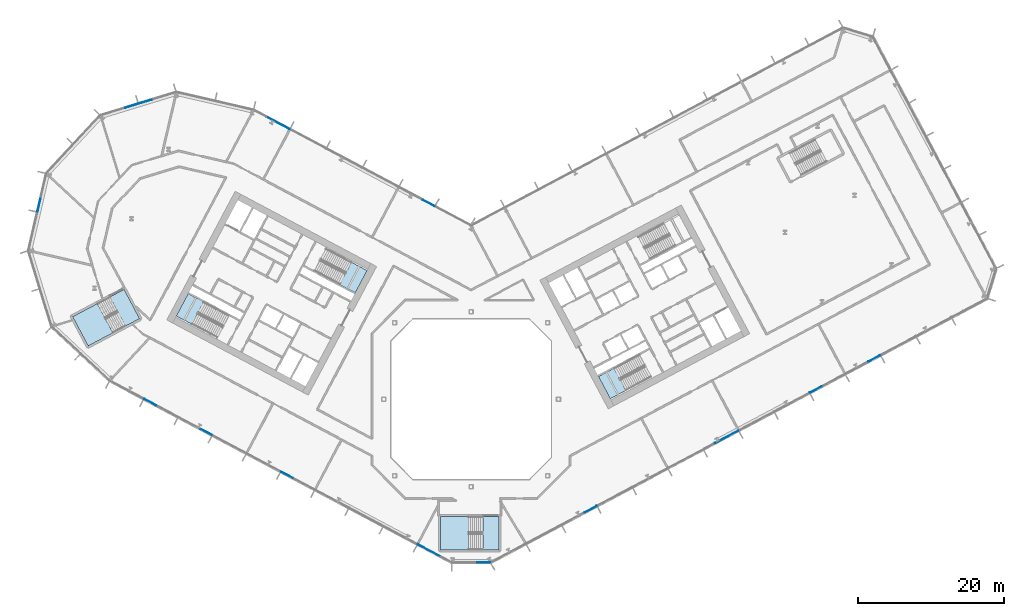
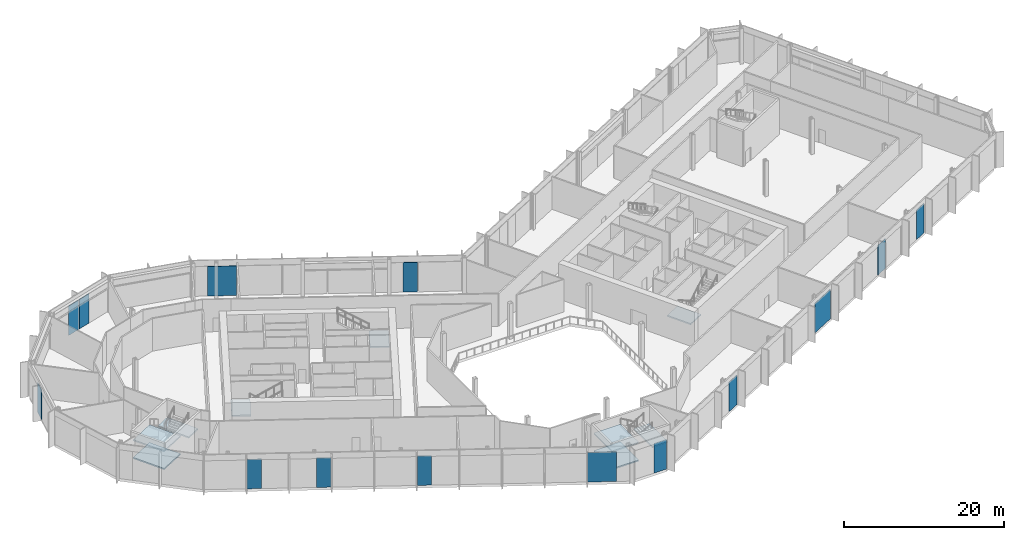
# One storey, part 9 of 32: 14 plates, 9 slabs, 11 elements without a shape of their own.
"""IFC4 building model written with IfcOpenShell, lengths in metres."""

import ifcopenshell
import ifcopenshell.guid

model = None  # the IFC model being written
_history = None  # IfcOwnerHistory: only IFC2X3 demands one
_inside = {}  # id of a spatial element -> (the spatial element, [elements in it])
_under = {}  # id of a project, library or spatial element -> (it, [spatial elements below it])
_declared = {}  # id of a project -> (the project, [libraries it declares])
_typed = {}  # id of a type object -> (the type object, [elements of that type])
_made_of = {}  # id of a material, layer set ... -> (it, [elements and type objects made of it])


def new_model(schema):
    """Start an empty IFC model of exactly this schema.

    Asked for "IFC4X3", IfcOpenShell would pick the latest addendum, in which some entities
    have other attributes; the version numbers below select the first issue.
    IFC2X3 requires an IfcOwnerHistory on every rooted entity: one is made here for all.
    """
    global model, _history
    if schema == "IFC4X3":
        model = ifcopenshell.file(schema_version=(4, 3, 0, 0))
    else:
        model = ifcopenshell.file(schema=schema)
    _inside.clear()
    _under.clear()
    _declared.clear()
    _typed.clear()
    _made_of.clear()
    _history = None
    if model.schema == "IFC2X3":
        org = make("IfcOrganization", Name="unknown")
        user = make(
            "IfcPersonAndOrganization",
            ThePerson=make("IfcPerson", FamilyName="unknown"),
            TheOrganization=org,
        )
        app = make(
            "IfcApplication",
            ApplicationDeveloper=org,
            Version="unknown",
            ApplicationFullName="unknown",
            ApplicationIdentifier="unknown",
        )
        _history = make(
            "IfcOwnerHistory",
            OwningUser=user,
            OwningApplication=app,
            ChangeAction="ADDED",
            CreationDate=0,
        )
    return model


def make(cls, **values):
    """One entity of the class cls with the attributes given. An attribute that is None is left unset."""
    return model.create_entity(
        cls, **{name: value for name, value in values.items() if value is not None}
    )


def rooted(cls, **values):
    """An entity with a GlobalId (a new one), such as an element, a storey or a relation."""
    return make(cls, GlobalId=ifcopenshell.guid.new(), OwnerHistory=_history, **values)


def si_unit(unit_type, name, prefix=None):
    """IfcSIUnit, for example si_unit("LENGTHUNIT", "METRE", prefix="MILLI")."""
    return make("IfcSIUnit", UnitType=unit_type, Prefix=prefix, Name=name)


def assignment(units):
    """IfcUnitAssignment: the units of a project."""
    return None if units is None else make("IfcUnitAssignment", Units=units)


def point(xyz):
    """IfcCartesianPoint."""
    return None if xyz is None else make("IfcCartesianPoint", Coordinates=xyz)


def direction(xyz):
    """IfcDirection."""
    return None if xyz is None else make("IfcDirection", DirectionRatios=xyz)


def frame(location, z_axis=None, x_axis=None):
    """IfcAxis2Placement3D, a coordinate frame: its origin and axes. An axis left out is left unset."""
    return make(
        "IfcAxis2Placement3D",
        Location=point(location),
        Axis=direction(z_axis),
        RefDirection=direction(x_axis),
    )


def frame_2d(location, x_axis=None):
    """IfcAxis2Placement2D, a coordinate frame in the plane: its origin and x axis."""
    return make(
        "IfcAxis2Placement2D", Location=point(location), RefDirection=direction(x_axis)
    )


def origin():
    """The frame at (0, 0, 0) with its axes left unset."""
    return frame((0.0, 0.0, 0.0))


def origin_2d():
    """The frame at (0, 0) in the plane with its x axis left unset."""
    return frame_2d((0.0, 0.0))


def place(relative_to, where):
    """IfcLocalPlacement: puts the frame where relative to a parent placement (None: the world)."""
    return make(
        "IfcLocalPlacement", PlacementRelTo=relative_to, RelativePlacement=where
    )


def context(
    kind, dimensions, precision=None, world=None, true_north=None, identifier=None
):
    """IfcGeometricRepresentationContext, for example the 3D "Model" context."""
    return make(
        "IfcGeometricRepresentationContext",
        ContextIdentifier=identifier,
        ContextType=kind,
        CoordinateSpaceDimension=dimensions,
        Precision=precision,
        WorldCoordinateSystem=world,
        TrueNorth=true_north,
    )


def subcontext(parent, identifier, kind, view, scale=None):
    """IfcGeometricRepresentationSubContext, for example "Body" below "Model"."""
    return make(
        "IfcGeometricRepresentationSubContext",
        ContextIdentifier=identifier,
        ContextType=kind,
        ParentContext=parent,
        TargetScale=scale,
        TargetView=view,
    )


def project(units=None, contexts=None):
    """IfcProject with its units and contexts."""
    return rooted(
        "IfcProject",
        Name="project",
        RepresentationContexts=contexts,
        UnitsInContext=assignment(units),
    )


def spatial(cls, under=None, at=None, **own):
    """A site, building, storey or space (cls), placed at a placement, below another one or the project."""
    s = rooted(cls, ObjectPlacement=at, **own)
    if under is not None:
        _under.setdefault(under.id(), (under, []))[1].append(s)
    return s


def polyline(points):
    """IfcPolyline through the points."""
    return make("IfcPolyline", Points=[point(p) for p in points])


def profile(cls, at=None, kind="AREA", **sizes):
    """A parametric profile (cls). Its sizes go by their IFC names, for example OverallWidth=200.0."""
    return make(cls, ProfileType=kind, Position=at, **sizes)


def rectangle(**sizes):
    """IfcRectangleProfileDef."""
    return profile("IfcRectangleProfileDef", **sizes)


def outline(outer, holes=None, kind="AREA"):
    """IfcArbitraryClosedProfileDef: a profile drawn as a closed curve; with holes, ...WithVoids."""
    if holes is None:
        return make("IfcArbitraryClosedProfileDef", ProfileType=kind, OuterCurve=outer)
    return make(
        "IfcArbitraryProfileDefWithVoids",
        ProfileType=kind,
        OuterCurve=outer,
        InnerCurves=holes,
    )


def extrude(swept, where, along, depth):
    """IfcExtrudedAreaSolid: the profile swept, set in the frame where, extruded along a direction by depth."""
    return make(
        "IfcExtrudedAreaSolid",
        SweptArea=swept,
        Position=where,
        ExtrudedDirection=direction(along),
        Depth=depth,
    )


def shape(context_of_items, identifier, shape_type, items):
    """IfcShapeRepresentation: the items that make up one representation, for example the "Body"."""
    return make(
        "IfcShapeRepresentation",
        ContextOfItems=context_of_items,
        RepresentationIdentifier=identifier,
        RepresentationType=shape_type,
        Items=items,
    )


def material(Name=None, Category=None):
    """IfcMaterial."""
    return make("IfcMaterial", Name=Name, Category=Category)


def layer(
    of_material, thickness, ventilated=None, Name=None, Category=None, Priority=None
):
    """IfcMaterialLayer: one layer of a wall or slab, of a material (None: an air gap)."""
    return make(
        "IfcMaterialLayer",
        Material=of_material,
        LayerThickness=thickness,
        IsVentilated=ventilated,
        Name=Name,
        Category=Category,
        Priority=Priority,
    )


def layer_set(layers, Name=None):
    """IfcMaterialLayerSet."""
    return make("IfcMaterialLayerSet", MaterialLayers=layers, LayerSetName=Name)


def made_of(thing, what):
    """Note that an element or type object is made of a material, layer set ...; save() writes the relation."""
    if what is not None:
        _made_of.setdefault(what.id(), (what, []))[1].append(thing)
    return thing


def type_object(cls, material=None, **own):
    """A type object (cls), such as IfcWallType, which elements share."""
    return made_of(rooted(cls, **own), material)


def element(
    cls,
    number,
    at=None,
    inside=None,
    cuts=None,
    type_object=None,
    material=None,
    context=None,
    identifier="Body",
    shape_type=None,
    held_by="IfcProductDefinitionShape",
    body=None,
    shapes=None,
    **own,
):
    """One element of the class cls, such as IfcWall. Its Tag is "e" and its number.

    at: its placement. inside: the storey or other place that contains it. cuts: it is an
    opening in that element (IfcRelVoidsElement). A single representation is given by context,
    identifier, shape_type and body (its items); several are given by shapes. held_by: the class
    of the entity that holds the representations. save() writes the other relations.
    """
    e = rooted(cls, Tag="e%d" % number, ObjectPlacement=at, **own)
    if body is not None:
        shapes = [shape(context, identifier, shape_type, body)]
    if shapes is not None:
        e.Representation = make(held_by, Representations=shapes)
    if inside is not None:
        _inside.setdefault(inside.id(), (inside, []))[1].append(e)
    if cuts is not None:
        rooted(
            "IfcRelVoidsElement", RelatingBuildingElement=cuts, RelatedOpeningElement=e
        )
    if type_object is not None:
        _typed.setdefault(type_object.id(), (type_object, []))[1].append(e)
    return made_of(e, material)


def aggregate(whole, parts):
    """IfcRelAggregates: a whole, such as a stair, and the parts it consists of."""
    return rooted("IfcRelAggregates", RelatingObject=whole, RelatedObjects=parts)


def save(model, path):
    """Write the relations noted so far, then the file.

    IfcRelAggregates (storeys below a building ...), IfcRelContainedInSpatialStructure (elements
    in a storey), IfcRelDefinesByType, IfcRelAssociatesMaterial and IfcRelDeclares: one each for
    every whole, place, type object, material and project.
    """
    for whole, parts in _under.values():
        aggregate(whole, parts)
    for where, things in _inside.values():
        rooted(
            "IfcRelContainedInSpatialStructure",
            RelatedElements=things,
            RelatingStructure=where,
        )
    for kind, things in _typed.values():
        rooted("IfcRelDefinesByType", RelatedObjects=things, RelatingType=kind)
    for what, things in _made_of.values():
        rooted("IfcRelAssociatesMaterial", RelatedObjects=things, RelatingMaterial=what)
    for by, libraries in _declared.values():
        rooted("IfcRelDeclares", RelatingContext=by, RelatedDefinitions=libraries)
    model.write(path)


model = new_model("IFC4")

# Units and contexts
model_context = context("Model", 3, precision=1e-05, world=origin(), true_north=direction((0.0, 1.0)))
body_context = subcontext(model_context, "Body", "Model", "MODEL_VIEW")
ifc_project = project(units=[si_unit("LENGTHUNIT", "METRE"), si_unit("AREAUNIT", "SQUARE_METRE"), si_unit("VOLUMEUNIT", "CUBIC_METRE"), si_unit("PLANEANGLEUNIT", "RADIAN"), si_unit("MASSUNIT", "GRAM", prefix="KILO")], contexts=[model_context])

# Site, building, storey
site_placement = place(None, origin())
site = spatial("IfcSite", under=ifc_project, at=site_placement, CompositionType="ELEMENT")
building_placement = place(site_placement, origin())
building = spatial("IfcBuilding", under=site, at=building_placement, Name="Cormorant Relay Tower", CompositionType="ELEMENT")
storey_placement = place(building_placement, frame((0.0, 0.0, 17.60009765625)))
storey = spatial("IfcBuildingStorey", under=building, at=storey_placement, Name="L03", CompositionType="ELEMENT", Elevation=17.60009765625)

# Curtain wall, plate
ifc_material_1 = material(Name="Aluminium 6063-T6 anodised bronze", Category="aluminium")
ifc_layer_1 = layer(ifc_material_1, 0.235107421875)
ifc_layer_set_1 = layer_set([ifc_layer_1], Name="CW6 data hall curtain wall with mineral wool panels")
curtain_wall_type = type_object("IfcCurtainWallType", Name="CW6 data hall curtain wall with mineral wool panels", PredefinedType="NOTDEFINED", material=ifc_layer_set_1)
curtain_wall_1_placement = place(storey_placement, origin())
curtain_wall_1 = element("IfcCurtainWall", 1, at=curtain_wall_1_placement, inside=storey, type_object=curtain_wall_type, Name="CW6 curtain wall 1", PredefinedType="NOTDEFINED")
ifc_material_2 = material(Name="Tinted triple-glazed laminated unit")
ifc_layer_2 = layer(ifc_material_2, 0.074951171875)
ifc_layer_set_2 = layer_set([ifc_layer_2], Name="CW6 triple-glazed vision unit 1800 module")
plate_type_1 = type_object("IfcPlateType", Name="CW6 triple-glazed vision unit 1800 module", PredefinedType="CURTAIN_PANEL", material=ifc_layer_set_2)
plate_1_placement = place(storey_placement, frame((1.748779296875, -22.4130859375, 0.0), z_axis=(0.0, 0.0, 1.0), x_axis=(1.0, 0.0, 0.0)))
plate_1 = element("IfcPlate", 2, at=plate_1_placement, type_object=plate_type_1, Name="CW6 panel V01", PredefinedType="CURTAIN_PANEL", context=body_context, shape_type="SweptSolid", body=[
    extrude(rectangle(XDim=1.800048828125, YDim=0.074951171875, at=origin_2d()), origin(), (0.0, 0.0, 1.0), 4.5),
])
aggregate(curtain_wall_1, [plate_1])

# Curtain wall, plates
curtain_wall_2_placement = place(storey_placement, origin())
curtain_wall_2 = element("IfcCurtainWall", 3, at=curtain_wall_2_placement, inside=storey, type_object=curtain_wall_type, Name="CW6 curtain wall 2", PredefinedType="NOTDEFINED")
plate_2_placement = place(storey_placement, frame((16.405517578125, -15.103515625, 0.0), z_axis=(0.0, 0.0, 1.0), x_axis=(0.882947592859, 0.469471562786, 0.0)))
plate_2 = element("IfcPlate", 4, at=plate_2_placement, type_object=plate_type_1, Name="CW6 panel V02", PredefinedType="CURTAIN_PANEL", context=body_context, shape_type="SweptSolid", body=[
    extrude(rectangle(XDim=1.800048828125, YDim=0.074951171875, at=origin_2d()), origin(), (0.0, 0.0, 1.0), 4.5),
])
plate_3_placement = place(storey_placement, frame((47.327392578125, 1.337890625, 0.0), z_axis=(0.0, 0.0, 1.0), x_axis=(0.882947592859, 0.469471562786, 0.0)))
plate_3 = element("IfcPlate", 5, at=plate_3_placement, type_object=plate_type_1, Name="CW6 panel V09", PredefinedType="CURTAIN_PANEL", context=body_context, shape_type="SweptSolid", body=[
    extrude(rectangle(XDim=1.800048828125, YDim=0.074951171875, at=origin_2d()), origin(), (0.0, 0.0, 1.0), 4.5),
])
plate_4_placement = place(storey_placement, frame((55.339111328125, 5.597900390625, 0.0), z_axis=(0.0, 0.0, 1.0), x_axis=(0.882947592859, 0.469471562786, 0.0)))
plate_4 = element("IfcPlate", 6, at=plate_4_placement, type_object=plate_type_1, Name="CW6 panel V11", PredefinedType="CURTAIN_PANEL", context=body_context, shape_type="SweptSolid", body=[
    extrude(rectangle(XDim=1.800048828125, YDim=0.074951171875, at=origin_2d()), origin(), (0.0, 0.0, 1.0), 4.5),
])

# Curtain wall, plate
curtain_wall_3_placement = place(storey_placement, origin())
curtain_wall_3 = element("IfcCurtainWall", 7, at=curtain_wall_3_placement, inside=storey, type_object=curtain_wall_type, Name="CW6 curtain wall 7", PredefinedType="NOTDEFINED")
plate_5_placement = place(storey_placement, frame((-5.822265625, 26.922119140625, 0.0), z_axis=(0.0, 0.0, 1.0), x_axis=(-0.882947592859, 0.469471562786, 0.0)))
plate_5 = element("IfcPlate", 8, at=plate_5_placement, type_object=plate_type_1, Name="CW6 panel V01", PredefinedType="CURTAIN_PANEL", context=body_context, shape_type="SweptSolid", body=[
    extrude(rectangle(XDim=1.800048828125, YDim=0.074951171875, at=origin_2d()), origin(), (0.0, 0.0, 1.0), 4.5),
])

# Curtain wall, plates
curtain_wall_4_placement = place(storey_placement, origin())
curtain_wall_4 = element("IfcCurtainWall", 9, at=curtain_wall_4_placement, inside=storey, type_object=curtain_wall_type, Name="CW6 curtain wall 9", PredefinedType="NOTDEFINED")
plate_6_placement = place(storey_placement, frame((-44.74169921875, 40.84521484375, 0.0), z_axis=(0.0, 0.0, 1.0), x_axis=(-0.956304755963, -0.292371704723, 0.0)))
plate_6 = element("IfcPlate", 10, at=plate_6_placement, type_object=plate_type_1, Name="CW6 panel V01", PredefinedType="CURTAIN_PANEL", context=body_context, shape_type="SweptSolid", body=[
    extrude(rectangle(XDim=1.800048828125, YDim=0.074951171875, at=origin_2d()), origin(), (0.0, 0.0, 1.0), 4.5),
])
plate_7_placement = place(storey_placement, frame((-46.606689453125, 40.275146484375, 0.0), z_axis=(0.0, 0.0, 1.0), x_axis=(-0.956304755963, -0.292371704723, 0.0)))
plate_7 = element("IfcPlate", 11, at=plate_7_placement, type_object=plate_type_1, Name="CW6 panel V02", PredefinedType="CURTAIN_PANEL", context=body_context, shape_type="SweptSolid", body=[
    extrude(rectangle(XDim=1.800048828125, YDim=0.074951171875, at=origin_2d()), origin(), (0.0, 0.0, 1.0), 4.5),
])
aggregate(curtain_wall_4, [plate_6, plate_7])

# Curtain wall, plate
curtain_wall_5_placement = place(storey_placement, origin())
curtain_wall_5 = element("IfcCurtainWall", 12, at=curtain_wall_5_placement, inside=storey, type_object=curtain_wall_type, Name="CW6 curtain wall 11", PredefinedType="NOTDEFINED")
plate_8_placement = place(storey_placement, frame((-59.314453125, 26.647705078125, 0.0), z_axis=(0.0, 0.0, 1.0), x_axis=(-0.224951054344, -0.974370064785, 0.0)))
plate_8 = element("IfcPlate", 13, at=plate_8_placement, type_object=plate_type_1, Name="CW6 panel V01", PredefinedType="CURTAIN_PANEL", context=body_context, shape_type="SweptSolid", body=[
    extrude(rectangle(XDim=1.800048828125, YDim=0.074951171875, at=origin_2d()), origin(), (0.0, 0.0, 1.0), 4.5),
])
aggregate(curtain_wall_5, [plate_8])

# Curtain wall, plates
curtain_wall_6_placement = place(storey_placement, origin())
curtain_wall_6 = element("IfcCurtainWall", 14, at=curtain_wall_6_placement, inside=storey, type_object=curtain_wall_type, Name="CW6 curtain wall 14", PredefinedType="NOTDEFINED")
plate_9_placement = place(storey_placement, frame((-44.053955078125, -0.402587890625, 0.0), z_axis=(0.0, 0.0, 1.0), x_axis=(0.882947592859, -0.469471562786, 0.0)))
plate_9 = element("IfcPlate", 15, at=plate_9_placement, type_object=plate_type_1, Name="CW6 panel V01", PredefinedType="CURTAIN_PANEL", context=body_context, shape_type="SweptSolid", body=[
    extrude(rectangle(XDim=1.800048828125, YDim=0.074951171875, at=origin_2d()), origin(), (0.0, 0.0, 1.0), 4.5),
])
plate_10_placement = place(storey_placement, frame((-36.38720703125, -4.47900390625, 0.0), z_axis=(0.0, 0.0, 1.0), x_axis=(0.882947592859, -0.469471562786, 0.0)))
plate_10 = element("IfcPlate", 16, at=plate_10_placement, type_object=plate_type_1, Name="CW6 panel V03", PredefinedType="CURTAIN_PANEL", context=body_context, shape_type="SweptSolid", body=[
    extrude(rectangle(XDim=1.800048828125, YDim=0.074951171875, at=origin_2d()), origin(), (0.0, 0.0, 1.0), 4.5),
])
plate_11_placement = place(storey_placement, frame((-25.27685546875, -10.386474609375, 0.0), z_axis=(0.0, 0.0, 1.0), x_axis=(0.882947592859, -0.469471562786, 0.0)))
plate_11 = element("IfcPlate", 17, at=plate_11_placement, type_object=plate_type_1, Name="CW6 panel V05", PredefinedType="CURTAIN_PANEL", context=body_context, shape_type="SweptSolid", body=[
    extrude(rectangle(XDim=1.800048828125, YDim=0.074951171875, at=origin_2d()), origin(), (0.0, 0.0, 1.0), 4.5),
])

# Plate
ifc_material_3 = material(Name="Tinted triple-glazed laminated unit")
ifc_layer_3 = layer(ifc_material_3, 0.074951171875)
ifc_layer_set_3 = layer_set([ifc_layer_3], Name="CW6 triple-glazed vision unit 3600 module")
plate_type_2 = type_object("IfcPlateType", Name="CW6 triple-glazed vision unit 3600 module", PredefinedType="CURTAIN_PANEL", material=ifc_layer_set_3)
plate_12_placement = place(storey_placement, frame((35.07763671875, -5.17529296875, 0.0), z_axis=(0.0, 0.0, 1.0), x_axis=(0.882947592859, 0.469471562786, 0.0)))
plate_12 = element("IfcPlate", 18, at=plate_12_placement, type_object=plate_type_2, Name="CW6 panel V06", PredefinedType="CURTAIN_PANEL", context=body_context, shape_type="SweptSolid", body=[
    extrude(rectangle(XDim=3.60009765625, YDim=0.074951171875, at=origin_2d()), origin(), (0.0, 0.0, 1.0), 4.5),
])

aggregate(curtain_wall_2, [plate_2, plate_12, plate_3, plate_4])

plate_13_placement = place(storey_placement, frame((-26.53271484375, 37.93408203125, 0.0), z_axis=(0.0, 0.0, 1.0), x_axis=(-0.882947592859, 0.469471562786, 0.0)))
plate_13 = element("IfcPlate", 19, at=plate_13_placement, type_object=plate_type_2, Name="CW6 panel V05", PredefinedType="CURTAIN_PANEL", context=body_context, shape_type="SweptSolid", body=[
    extrude(rectangle(XDim=3.60009765625, YDim=0.074951171875, at=origin_2d()), origin(), (0.0, 0.0, 1.0), 4.5),
])

aggregate(curtain_wall_3, [plate_5, plate_13])

plate_14_placement = place(storey_placement, frame((-5.705078125, -20.79296875, 0.0), z_axis=(0.0, 0.0, 1.0), x_axis=(0.882947592859, -0.469471562786, 0.0)))
plate_14 = element("IfcPlate", 20, at=plate_14_placement, type_object=plate_type_2, Name="CW6 panel V08", PredefinedType="CURTAIN_PANEL", context=body_context, shape_type="SweptSolid", body=[
    extrude(rectangle(XDim=3.60009765625, YDim=0.074951171875, at=origin_2d()), origin(), (0.0, 0.0, 1.0), 4.5),
])

aggregate(curtain_wall_6, [plate_9, plate_10, plate_11, plate_14])

# Stair, slab
ifc_material_4 = material(Name="Concrete 40 MPa", Category="concrete")
stair_type_1 = type_object("IfcStairType", Name="Exit stair 1500", PredefinedType="HALF_TURN_STAIR", material=ifc_material_4)
stair_1_placement = place(storey_placement, origin())
stair_1 = element("IfcStair", 21, at=stair_1_placement, inside=storey, type_object=stair_type_1, Name="L03 Stair", PredefinedType="HALF_TURN_STAIR")
ifc_material_5 = material(Name="Concrete 40 MPa", Category="concrete")
ifc_layer_4 = layer(ifc_material_5, 0.199951171875)
ifc_layer_set_4 = layer_set([ifc_layer_4], Name="Exit stair landing 200")
slab_type = type_object("IfcSlabType", Name="Exit stair landing 200", PredefinedType="LANDING", material=ifc_layer_set_4)
slab_1_placement = place(storey_placement, frame((0.0, 0.0, 2.5)))
slab_1 = element("IfcSlab", 22, at=slab_1_placement, type_object=slab_type, Name="A1 landing 1", PredefinedType="LANDING", context=body_context, shape_type="SweptSolid", body=[
    extrude(outline(polyline([(-18.04052734375, 15.764892578125), (-15.89501953125, 14.6240234375), (-14.275390625, 17.670166015625), (-16.4208984375, 18.81103515625), (-18.04052734375, 15.764892578125)])), origin(), (0.0, 0.0, 1.0), 0.199951171875),
])
aggregate(stair_1, [slab_1])

stair_2_placement = place(storey_placement, origin())
stair_2 = element("IfcStair", 23, at=stair_2_placement, inside=storey, type_object=stair_type_1, Name="L03 Stair", PredefinedType="HALF_TURN_STAIR")
slab_2_placement = place(storey_placement, frame((0.0, 0.0, 2.5)))
slab_2 = element("IfcSlab", 24, at=slab_2_placement, type_object=slab_type, Name="A2 landing 1", PredefinedType="LANDING", context=body_context, shape_type="SweptSolid", body=[
    extrude(outline(polyline([(-36.7021484375, 13.34228515625), (-38.84765625, 14.483154296875), (-40.467529296875, 11.43701171875), (-38.32177734375, 10.296142578125), (-36.7021484375, 13.34228515625)])), origin(), (0.0, 0.0, 1.0), 0.199951171875),
])
aggregate(stair_2, [slab_2])

stair_3_placement = place(storey_placement, origin())
stair_3 = element("IfcStair", 25, at=stair_3_placement, inside=storey, type_object=stair_type_1, Name="L03 Stair", PredefinedType="HALF_TURN_STAIR")
slab_3_placement = place(storey_placement, frame((0.0, 0.0, 2.5)))
slab_3 = element("IfcSlab", 26, at=slab_3_placement, type_object=slab_type, Name="B1 landing 1", PredefinedType="LANDING", context=body_context, shape_type="SweptSolid", body=[
    extrude(outline(polyline([(19.6259765625, 4.262939453125), (17.48046875, 3.1220703125), (19.10009765625, 0.075927734375), (21.24560546875, 1.216552734375), (19.6259765625, 4.262939453125)])), origin(), (0.0, 0.0, 1.0), 0.199951171875),
])
aggregate(stair_3, [slab_3])

# Stair, slabs
ifc_material_6 = material(Name="Concrete 40 MPa", Category="concrete")
stair_type_2 = type_object("IfcStairType", Name="Remote exit stair 2200", PredefinedType="HALF_TURN_STAIR", material=ifc_material_6)
stair_4_placement = place(storey_placement, origin())
stair_4 = element("IfcStair", 27, at=stair_4_placement, inside=storey, type_object=stair_type_2, Name="L03 Stair", PredefinedType="HALF_TURN_STAIR")
slab_4_placement = place(storey_placement, frame((0.0, 0.0, 1.14990234375)))
slab_4 = element("IfcSlab", 28, at=slab_4_placement, type_object=slab_type, Name="RK1 landing 1", PredefinedType="LANDING", context=body_context, shape_type="SweptSolid", body=[
    extrude(outline(polyline([(-0.360107421875, -16.125), (-4.199951171875, -16.125), (-4.199951171875, -20.675048828125), (-0.360107421875, -20.675048828125), (-0.360107421875, -16.125)])), origin(), (0.0, 0.0, 1.0), 0.199951171875),
])
slab_5_placement = place(storey_placement, frame((0.0, 0.0, 2.5)))
slab_5 = element("IfcSlab", 29, at=slab_5_placement, type_object=slab_type, Name="RK1 landing 2", PredefinedType="LANDING", context=body_context, shape_type="SweptSolid", body=[
    extrude(outline(polyline([(3.800048828125, -16.125), (1.60009765625, -16.125), (1.60009765625, -20.675048828125), (3.800048828125, -20.675048828125), (3.800048828125, -16.125)])), origin(), (0.0, 0.0, 1.0), 0.199951171875),
])
slab_6_placement = place(storey_placement, frame((0.0, 0.0, 3.849853515625)))
slab_6 = element("IfcSlab", 30, at=slab_6_placement, type_object=slab_type, Name="RK1 landing 3", PredefinedType="LANDING", context=body_context, shape_type="SweptSolid", body=[
    extrude(outline(polyline([(-0.360107421875, -16.125), (-4.199951171875, -16.125), (-4.199951171875, -20.675048828125), (-0.360107421875, -20.675048828125), (-0.360107421875, -16.125)])), origin(), (0.0, 0.0, 1.0), 0.199951171875),
])
aggregate(stair_4, [slab_4, slab_5, slab_6])

stair_5_placement = place(storey_placement, origin())
stair_5 = element("IfcStair", 31, at=stair_5_placement, inside=storey, type_object=stair_type_2, Name="L03 Stair", PredefinedType="HALF_TURN_STAIR")
slab_7_placement = place(storey_placement, frame((0.0, 0.0, 1.14990234375)))
slab_7 = element("IfcSlab", 32, at=slab_7_placement, type_object=slab_type, Name="RP1 landing 1", PredefinedType="LANDING", context=body_context, shape_type="SweptSolid", body=[
    extrude(outline(polyline([(-51.309326171875, 13.133544921875), (-54.699951171875, 11.330810546875), (-52.563720703125, 7.3134765625), (-49.17333984375, 9.1162109375), (-51.309326171875, 13.133544921875)])), origin(), (0.0, 0.0, 1.0), 0.199951171875),
])
slab_8_placement = place(storey_placement, frame((0.0, 0.0, 2.5)))
slab_8 = element("IfcSlab", 33, at=slab_8_placement, type_object=slab_type, Name="RP1 landing 2", PredefinedType="LANDING", context=body_context, shape_type="SweptSolid", body=[
    extrude(outline(polyline([(-47.63623046875, 15.086669921875), (-49.578857421875, 14.0537109375), (-47.442626953125, 10.036376953125), (-45.500244140625, 11.069091796875), (-47.63623046875, 15.086669921875)])), origin(), (0.0, 0.0, 1.0), 0.199951171875),
])
slab_9_placement = place(storey_placement, frame((0.0, 0.0, 3.849853515625)))
slab_9 = element("IfcSlab", 34, at=slab_9_placement, type_object=slab_type, Name="RP1 landing 3", PredefinedType="LANDING", context=body_context, shape_type="SweptSolid", body=[
    extrude(outline(polyline([(-51.309326171875, 13.133544921875), (-54.699951171875, 11.330810546875), (-52.563720703125, 7.3134765625), (-49.17333984375, 9.1162109375), (-51.309326171875, 13.133544921875)])), origin(), (0.0, 0.0, 1.0), 0.199951171875),
])
aggregate(stair_5, [slab_7, slab_8, slab_9])

save(model, "model.ifc")
